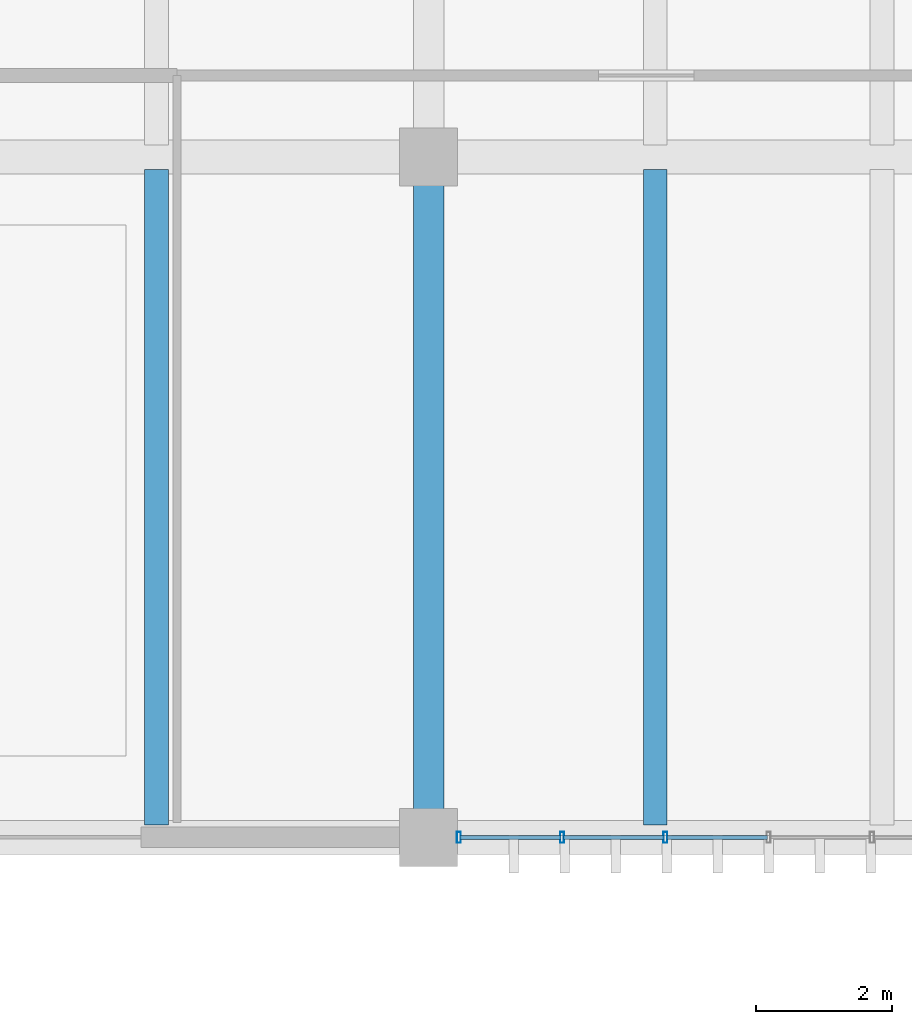
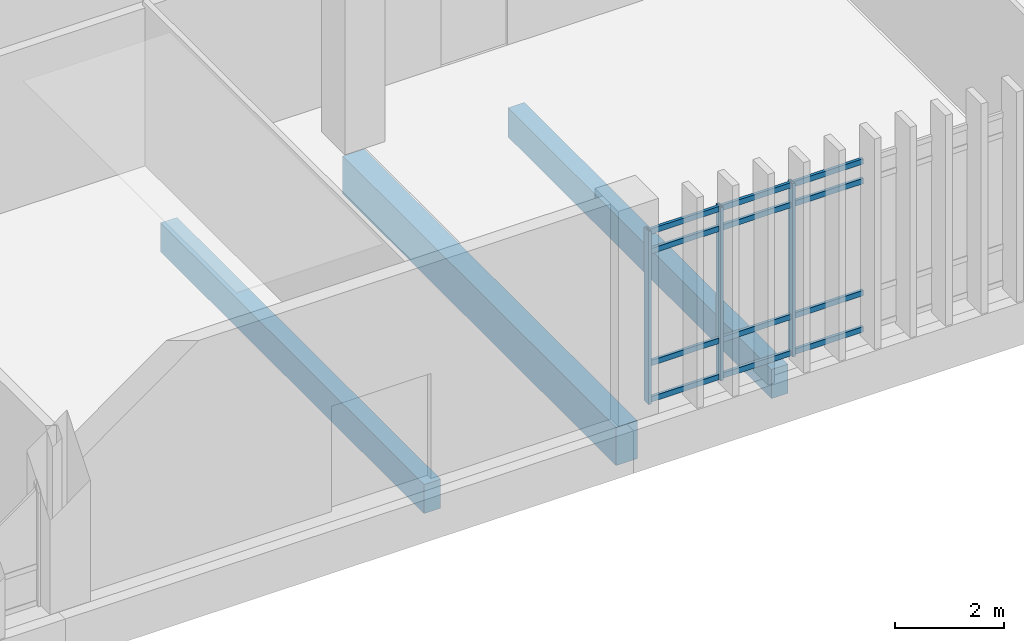
# One storey, part 41 of 87: 15 members, 3 beams, 1 element without a shape of its own.
"""IFC4 building model written with IfcOpenShell, lengths in metres."""

from ifc_helpers import new_model, si_unit, direction, frame, origin, origin_2d, place, context, subcontext, project, spatial, rectangle, hollow_rectangle, extrude, material, layer, layer_set, material_profile, profile_set, type_object, element, aggregate, save


model = new_model("IFC4")

# Units and contexts
model_context = context("Model", 3, precision=1e-05, world=origin(), true_north=direction((0.0, 1.0)))
body_context = subcontext(model_context, "Body", "Model", "MODEL_VIEW")
ifc_project = project(units=[si_unit("LENGTHUNIT", "METRE"), si_unit("AREAUNIT", "SQUARE_METRE"), si_unit("VOLUMEUNIT", "CUBIC_METRE"), si_unit("PLANEANGLEUNIT", "RADIAN"), si_unit("MASSUNIT", "GRAM", prefix="KILO")], contexts=[model_context])

# Site, building, storey
site_placement = place(None, origin())
site = spatial("IfcSite", under=ifc_project, at=site_placement, CompositionType="ELEMENT")
building_placement = place(site_placement, origin())
building = spatial("IfcBuilding", under=site, at=building_placement, Name="Mersad Railyard Sports Hall", CompositionType="ELEMENT")
storey_placement = place(building_placement, origin())
storey = spatial("IfcBuildingStorey", under=building, at=storey_placement, Name="L00", CompositionType="ELEMENT", Elevation=0.0)

# Curtain wall, members
ifc_material_1 = material(Name="Aluminium 6063-T6", Category="aluminium")
ifc_layer = layer(ifc_material_1, 0.159912109375)
ifc_layer_set = layer_set([ifc_layer], Name="Aluminium 6063-T6")
curtain_wall_type = type_object("IfcCurtainWallType", Name="ARC-CW-CW32", PredefinedType="USERDEFINED", material=ifc_layer_set)
curtain_wall_placement = place(storey_placement, origin())
curtain_wall = element("IfcCurtainWall", 1, at=curtain_wall_placement, inside=storey, type_object=curtain_wall_type, Name="Curtain wall CW32-0092", ObjectType="CURTAIN WALL", PredefinedType="USERDEFINED")
ifc_material_profile_1 = material_profile(ifc_material_1, hollow_rectangle(XDim=0.06005859375, YDim=0.159912109375, WallThickness=0.00390625, at=origin_2d()), Name="AL MULLION 60x160x4")
ifc_profile_set_1 = profile_set([ifc_material_profile_1], Name="Aluminium 6063-T6")
member_type_1 = type_object("IfcMemberType", Name="ARC-CW-MUL01", PredefinedType="MULLION", material=ifc_profile_set_1)
member_1_placement = place(storey_placement, frame((94.481689453125, 85.0, -0.02001953125), z_axis=(0.0, 0.0, 1.0), x_axis=(1.0, 0.0, 0.0)))
member_1 = element("IfcMember", 2, at=member_1_placement, type_object=member_type_1, Name="CW32 Mullion 5", PredefinedType="MULLION", context=body_context, shape_type="SweptSolid", body=[
    extrude(hollow_rectangle(XDim=0.06005859375, YDim=0.159912109375, WallThickness=0.00390625, at=origin_2d()), origin(), (0.0, 0.0, 1.0), 3.8701171875),
])
member_2_placement = place(storey_placement, frame((92.96337890625, 85.0, -0.02001953125), z_axis=(0.0, 0.0, 1.0), x_axis=(1.0, 0.0, 0.0)))
member_2 = element("IfcMember", 3, at=member_2_placement, type_object=member_type_1, Name="CW32 Mullion 6", PredefinedType="MULLION", context=body_context, shape_type="SweptSolid", body=[
    extrude(hollow_rectangle(XDim=0.06005859375, YDim=0.159912109375, WallThickness=0.00390625, at=origin_2d()), origin(), (0.0, 0.0, 1.0), 3.8701171875),
])
member_3_placement = place(storey_placement, frame((91.445068359375, 85.0, -0.02001953125), z_axis=(0.0, 0.0, 1.0), x_axis=(1.0, 0.0, 0.0)))
member_3 = element("IfcMember", 4, at=member_3_placement, type_object=member_type_1, Name="CW32 Mullion 7", PredefinedType="MULLION", context=body_context, shape_type="SweptSolid", body=[
    extrude(hollow_rectangle(XDim=0.06005859375, YDim=0.159912109375, WallThickness=0.00390625, at=origin_2d()), origin(), (0.0, 0.0, 1.0), 3.8701171875),
])
ifc_material_profile_2 = material_profile(ifc_material_1, hollow_rectangle(XDim=0.06005859375, YDim=0.1201171875, WallThickness=0.00390625, at=origin_2d()), Name="AL TRANSOM 60x120x4")
ifc_profile_set_2 = profile_set([ifc_material_profile_2], Name="Aluminium 6063-T6")
member_type_2 = type_object("IfcMemberType", Name="ARC-CW-TRN01", PredefinedType="USERDEFINED", material=ifc_profile_set_2)
member_4_placement = place(storey_placement, frame((95.97998046875, 85.0, 0.0400390625), z_axis=(-1.0, 0.0, 0.0), x_axis=(0.0, -1.0, 0.0)))
member_4 = element("IfcMember", 5, at=member_4_placement, type_object=member_type_2, Name="CW32 Transom 1-4", ObjectType="TRANSOM", PredefinedType="USERDEFINED", context=body_context, shape_type="SweptSolid", body=[
    extrude(hollow_rectangle(XDim=0.06005859375, YDim=0.1201171875, WallThickness=0.00390625, at=origin_2d()), origin(), (0.0, 0.0, 1.0), 1.478271484375),
])
member_5_placement = place(storey_placement, frame((94.461669921875, 85.0, 0.0400390625), z_axis=(-1.0, 0.0, 0.0), x_axis=(0.0, -1.0, 0.0)))
member_5 = element("IfcMember", 6, at=member_5_placement, type_object=member_type_2, Name="CW32 Transom 1-5", ObjectType="TRANSOM", PredefinedType="USERDEFINED", context=body_context, shape_type="SweptSolid", body=[
    extrude(hollow_rectangle(XDim=0.06005859375, YDim=0.1201171875, WallThickness=0.00390625, at=origin_2d()), origin(), (0.0, 0.0, 1.0), 1.478271484375),
])
member_6_placement = place(storey_placement, frame((92.943359375, 85.0, 0.0400390625), z_axis=(-1.0, 0.0, 0.0), x_axis=(0.0, -1.0, 0.0)))
member_6 = element("IfcMember", 7, at=member_6_placement, type_object=member_type_2, Name="CW32 Transom 1-6", ObjectType="TRANSOM", PredefinedType="USERDEFINED", context=body_context, shape_type="SweptSolid", body=[
    extrude(hollow_rectangle(XDim=0.06005859375, YDim=0.1201171875, WallThickness=0.00390625, at=origin_2d()), origin(), (0.0, 0.0, 1.0), 1.478271484375),
])
member_7_placement = place(storey_placement, frame((95.97998046875, 85.0, 0.85009765625), z_axis=(-1.0, 0.0, 0.0), x_axis=(0.0, -1.0, 0.0)))
member_7 = element("IfcMember", 8, at=member_7_placement, type_object=member_type_2, Name="CW32 Transom 2-4", ObjectType="TRANSOM", PredefinedType="USERDEFINED", context=body_context, shape_type="SweptSolid", body=[
    extrude(hollow_rectangle(XDim=0.06005859375, YDim=0.1201171875, WallThickness=0.00390625, at=origin_2d()), origin(), (0.0, 0.0, 1.0), 1.478271484375),
])
member_8_placement = place(storey_placement, frame((94.461669921875, 85.0, 0.85009765625), z_axis=(-1.0, 0.0, 0.0), x_axis=(0.0, -1.0, 0.0)))
member_8 = element("IfcMember", 9, at=member_8_placement, type_object=member_type_2, Name="CW32 Transom 2-5", ObjectType="TRANSOM", PredefinedType="USERDEFINED", context=body_context, shape_type="SweptSolid", body=[
    extrude(hollow_rectangle(XDim=0.06005859375, YDim=0.1201171875, WallThickness=0.00390625, at=origin_2d()), origin(), (0.0, 0.0, 1.0), 1.478271484375),
])
member_9_placement = place(storey_placement, frame((92.943359375, 85.0, 0.85009765625), z_axis=(-1.0, 0.0, 0.0), x_axis=(0.0, -1.0, 0.0)))
member_9 = element("IfcMember", 10, at=member_9_placement, type_object=member_type_2, Name="CW32 Transom 2-6", ObjectType="TRANSOM", PredefinedType="USERDEFINED", context=body_context, shape_type="SweptSolid", body=[
    extrude(hollow_rectangle(XDim=0.06005859375, YDim=0.1201171875, WallThickness=0.00390625, at=origin_2d()), origin(), (0.0, 0.0, 1.0), 1.478271484375),
])
member_10_placement = place(storey_placement, frame((95.97998046875, 85.0, 3.35009765625), z_axis=(-1.0, 0.0, 0.0), x_axis=(0.0, -1.0, 0.0)))
member_10 = element("IfcMember", 11, at=member_10_placement, type_object=member_type_2, Name="CW32 Transom 3-4", ObjectType="TRANSOM", PredefinedType="USERDEFINED", context=body_context, shape_type="SweptSolid", body=[
    extrude(hollow_rectangle(XDim=0.06005859375, YDim=0.1201171875, WallThickness=0.00390625, at=origin_2d()), origin(), (0.0, 0.0, 1.0), 1.478271484375),
])
member_11_placement = place(storey_placement, frame((94.461669921875, 85.0, 3.35009765625), z_axis=(-1.0, 0.0, 0.0), x_axis=(0.0, -1.0, 0.0)))
member_11 = element("IfcMember", 12, at=member_11_placement, type_object=member_type_2, Name="CW32 Transom 3-5", ObjectType="TRANSOM", PredefinedType="USERDEFINED", context=body_context, shape_type="SweptSolid", body=[
    extrude(hollow_rectangle(XDim=0.06005859375, YDim=0.1201171875, WallThickness=0.00390625, at=origin_2d()), origin(), (0.0, 0.0, 1.0), 1.478271484375),
])
member_12_placement = place(storey_placement, frame((92.943359375, 85.0, 3.35009765625), z_axis=(-1.0, 0.0, 0.0), x_axis=(0.0, -1.0, 0.0)))
member_12 = element("IfcMember", 13, at=member_12_placement, type_object=member_type_2, Name="CW32 Transom 3-6", ObjectType="TRANSOM", PredefinedType="USERDEFINED", context=body_context, shape_type="SweptSolid", body=[
    extrude(hollow_rectangle(XDim=0.06005859375, YDim=0.1201171875, WallThickness=0.00390625, at=origin_2d()), origin(), (0.0, 0.0, 1.0), 1.478271484375),
])
member_13_placement = place(storey_placement, frame((95.97998046875, 85.0, 3.7900390625), z_axis=(-1.0, 0.0, 0.0), x_axis=(0.0, -1.0, 0.0)))
member_13 = element("IfcMember", 14, at=member_13_placement, type_object=member_type_2, Name="CW32 Transom 4-4", ObjectType="TRANSOM", PredefinedType="USERDEFINED", context=body_context, shape_type="SweptSolid", body=[
    extrude(hollow_rectangle(XDim=0.06005859375, YDim=0.1201171875, WallThickness=0.00390625, at=origin_2d()), origin(), (0.0, 0.0, 1.0), 1.478271484375),
])
member_14_placement = place(storey_placement, frame((94.461669921875, 85.0, 3.7900390625), z_axis=(-1.0, 0.0, 0.0), x_axis=(0.0, -1.0, 0.0)))
member_14 = element("IfcMember", 15, at=member_14_placement, type_object=member_type_2, Name="CW32 Transom 4-5", ObjectType="TRANSOM", PredefinedType="USERDEFINED", context=body_context, shape_type="SweptSolid", body=[
    extrude(hollow_rectangle(XDim=0.06005859375, YDim=0.1201171875, WallThickness=0.00390625, at=origin_2d()), origin(), (0.0, 0.0, 1.0), 1.478271484375),
])
member_15_placement = place(storey_placement, frame((92.943359375, 85.0, 3.7900390625), z_axis=(-1.0, 0.0, 0.0), x_axis=(0.0, -1.0, 0.0)))
member_15 = element("IfcMember", 16, at=member_15_placement, type_object=member_type_2, Name="CW32 Transom 4-6", ObjectType="TRANSOM", PredefinedType="USERDEFINED", context=body_context, shape_type="SweptSolid", body=[
    extrude(hollow_rectangle(XDim=0.06005859375, YDim=0.1201171875, WallThickness=0.00390625, at=origin_2d()), origin(), (0.0, 0.0, 1.0), 1.478271484375),
])
aggregate(curtain_wall, [member_1, member_2, member_3, member_4, member_5, member_6, member_7, member_8, member_9, member_10, member_11, member_12, member_13, member_14, member_15])

# Beams
ifc_material_2 = material(Name="Concrete C40/50", Category="concrete")
ifc_material_profile_3 = material_profile(ifc_material_2, rectangle(XDim=0.449951171875, YDim=0.85009765625, at=origin_2d()), Name="RC 450x850")
ifc_profile_set_3 = profile_set([ifc_material_profile_3], Name="Concrete C40/50")
beam_type_1 = type_object("IfcBeamType", Name="STR-BM-B02", PredefinedType="BEAM", material=ifc_profile_set_3)
beam_placement = place(storey_placement, frame((91.0, 85.0, -0.77490234375), z_axis=(0.0, 1.0, 0.0), x_axis=(-1.0, 0.0, 0.0)))
element("IfcBeam", 17, at=beam_placement, inside=storey, type_object=beam_type_1, Name="Beam B02-0186", PredefinedType="BEAM", context=body_context, shape_type="SweptSolid", body=[
    extrude(rectangle(XDim=0.449951171875, YDim=0.85009765625, at=origin_2d()), origin(), (0.0, 0.0, 1.0), 10.0),
])
ifc_material_profile_4 = material_profile(ifc_material_2, rectangle(XDim=0.35009765625, YDim=0.64990234375, at=origin_2d()), Name="RC 350x650")
ifc_profile_set_4 = profile_set([ifc_material_profile_4], Name="Concrete C40/50")
beam_type_2 = type_object("IfcBeamType", Name="STR-BM-J01", PredefinedType="JOIST", material=ifc_profile_set_4)
for number, where, z_axis, x_axis, name in (
    (18, (87.0, 85.179931640625, -0.675048828125), (0.0, 1.0, 0.0), (-1.0, 0.0, 0.0), "Beam J01-0241"),
    (19, (94.3330078125, 85.179931640625, -0.675048828125), (0.0, 1.0, 0.0), (-1.0, 0.0, 0.0), "Beam J01-0246"),
):
    element("IfcBeam", number, at=place(storey_placement, frame(where, z_axis=z_axis, x_axis=x_axis)), inside=storey, type_object=beam_type_2, Name=name, PredefinedType="JOIST", context=body_context, shape_type="SweptSolid", body=[
        extrude(rectangle(XDim=0.35009765625, YDim=0.64990234375, at=origin_2d()), origin(), (0.0, 0.0, 1.0), 9.64013671875),
    ])

save(model, "model.ifc")
